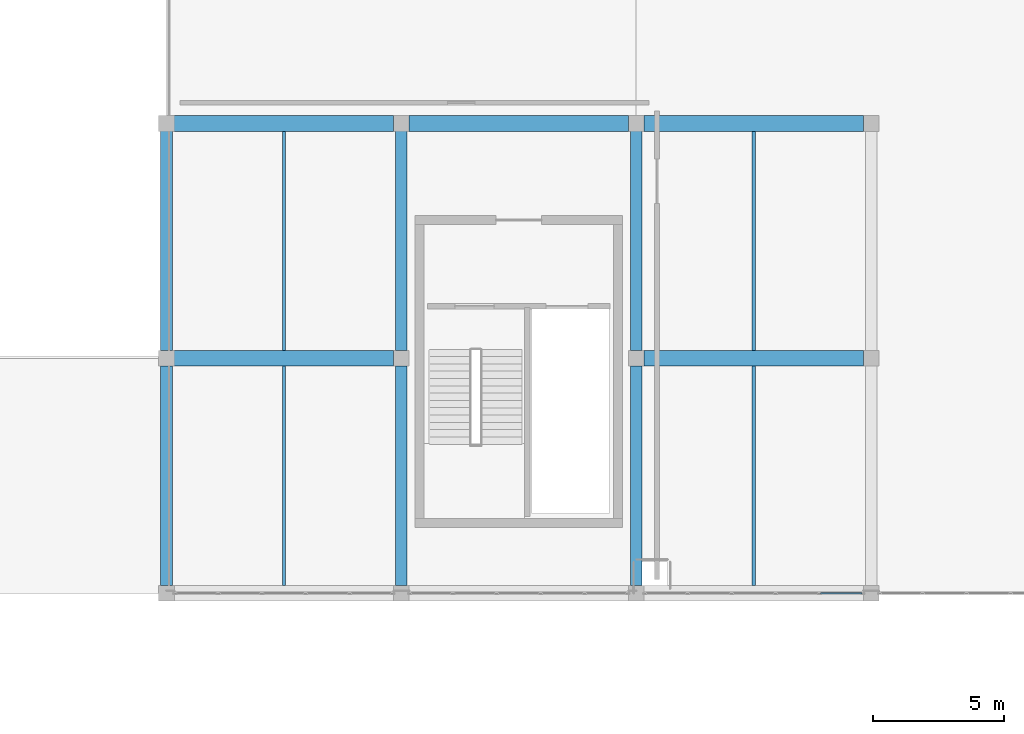
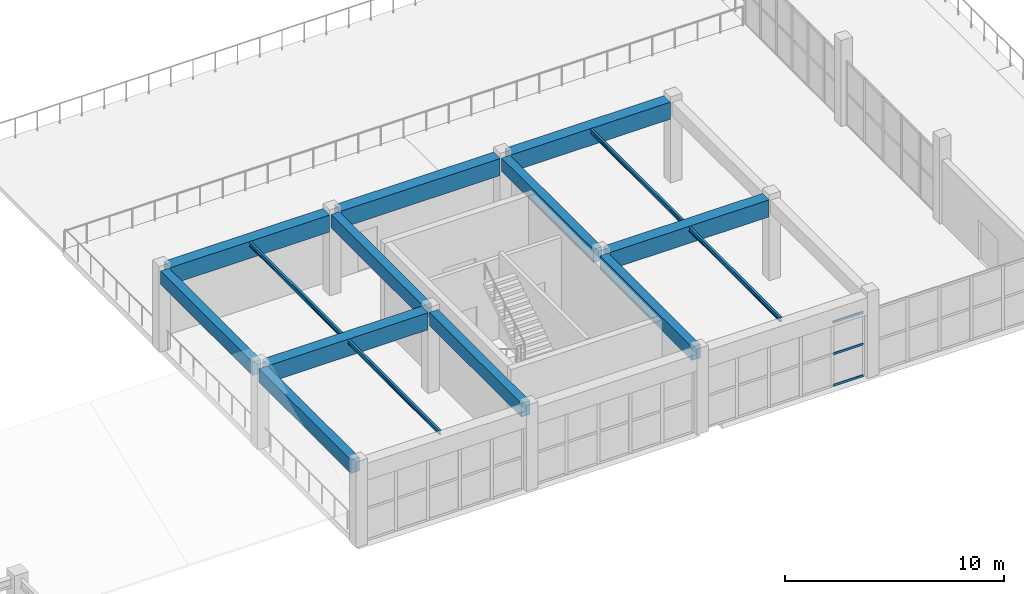
# One storey, part 40 of 89: 15 beams, 3 members, 1 element without a shape of its own.
"""IFC4 building model written with IfcOpenShell, lengths in metres."""

from ifc_helpers import new_model, si_unit, direction, frame, origin, origin_2d, place, context, subcontext, project, spatial, rectangle, hollow_rectangle, i_section, extrude, material, layer, layer_set, material_profile, profile_set, type_object, element, aggregate, save


model = new_model("IFC4")

# Units and contexts
model_context = context("Model", 3, precision=1e-05, world=origin(), true_north=direction((0.0, 1.0)))
body_context = subcontext(model_context, "Body", "Model", "MODEL_VIEW")
ifc_project = project(units=[si_unit("LENGTHUNIT", "METRE"), si_unit("AREAUNIT", "SQUARE_METRE"), si_unit("VOLUMEUNIT", "CUBIC_METRE"), si_unit("PLANEANGLEUNIT", "RADIAN"), si_unit("MASSUNIT", "GRAM", prefix="KILO")], contexts=[model_context])

# Site, building, storey
site_placement = place(None, origin())
site = spatial("IfcSite", under=ifc_project, at=site_placement, CompositionType="ELEMENT")
building_placement = place(site_placement, origin())
building = spatial("IfcBuilding", under=site, at=building_placement, Name="Dornveld Trade and Exhibition Forum", CompositionType="ELEMENT")
storey_placement = place(building_placement, frame((0.0, 0.0, 12.0)))
storey = spatial("IfcBuildingStorey", under=building, at=storey_placement, Name="L02", CompositionType="ELEMENT", Elevation=12.0)

# Beams
ifc_material_1 = material(Name="Steel S355J2", Category="steel")
ifc_material_profile_1 = material_profile(ifc_material_1, i_section(OverallWidth=0.1201171875, OverallDepth=0.239990234375, WebThickness=0.006103515625, FlangeThickness=0.009765625, FilletRadius=0.014892578125, at=origin_2d()), Name="IPE 240")
ifc_profile_set_1 = profile_set([ifc_material_profile_1], Name="Steel S355J2")
beam_type_1 = type_object("IfcBeamType", Name="BM-JOIST-240", PredefinedType="JOIST", material=ifc_profile_set_1)
for number, where, z_axis, x_axis, name in (
    (1, (175.5, 108.297119140625, 4.39990234375), (0.0, 1.0, 0.0), (-1.0, 0.0, 0.0), "L02 secondary joist 1601"),
    (2, (175.5, 117.297119140625, 4.39990234375), (0.0, 1.0, 0.0), (-1.0, 0.0, 0.0), "L02 secondary joist 1602"),
    (3, (193.5, 108.297119140625, 4.39990234375), (0.0, 1.0, 0.0), (-1.0, 0.0, 0.0), "L02 secondary joist 1603"),
    (4, (193.5, 117.297119140625, 4.39990234375), (0.0, 1.0, 0.0), (-1.0, 0.0, 0.0), "L02 secondary joist 1604"),
):
    element("IfcBeam", number, at=place(storey_placement, frame(where, z_axis=z_axis, x_axis=x_axis)), inside=storey, type_object=beam_type_1, Name=name, PredefinedType="JOIST", context=body_context, shape_type="SweptSolid", body=[
        extrude(i_section(OverallWidth=0.1201171875, OverallDepth=0.239990234375, WebThickness=0.006103515625, FlangeThickness=0.009765625, FilletRadius=0.014892578125, at=origin_2d()), origin(), (0.0, 0.0, 1.0), 8.40576171875),
    ])
ifc_material_2 = material(Name="Precast concrete C50/60", Category="concrete")
ifc_material_profile_2 = material_profile(ifc_material_2, rectangle(XDim=0.449951171875, YDim=0.75, at=origin_2d()), Name="PC-BM 450x750")
ifc_profile_set_2 = profile_set([ifc_material_profile_2], Name="Precast concrete C50/60")
beam_type_2 = type_object("IfcBeamType", Name="BM-PC-450x750", PredefinedType="BEAM", material=ifc_profile_set_2)
for number, where, z_axis, x_axis, name in (
    (5, (171.0, 108.2958984375, 4.14501953125), (0.0, 1.0, 0.0), (-1.0, 0.0, 0.0), "L02 Y-girder 1593"),
    (6, (171.0, 117.2958984375, 4.14501953125), (0.0, 1.0, 0.0), (-1.0, 0.0, 0.0), "L02 Y-girder 1594"),
    (7, (180.0, 108.2958984375, 4.14501953125), (0.0, 1.0, 0.0), (-1.0, 0.0, 0.0), "L02 Y-girder 1595"),
    (8, (180.0, 117.2958984375, 4.14501953125), (0.0, 1.0, 0.0), (-1.0, 0.0, 0.0), "L02 Y-girder 1596"),
    (9, (189.0, 108.2958984375, 4.14501953125), (0.0, 1.0, 0.0), (-1.0, 0.0, 0.0), "L02 Y-girder 1597"),
    (10, (189.0, 117.2958984375, 4.14501953125), (0.0, 1.0, 0.0), (-1.0, 0.0, 0.0), "L02 Y-girder 1598"),
):
    element("IfcBeam", number, at=place(storey_placement, frame(where, z_axis=z_axis, x_axis=x_axis)), inside=storey, type_object=beam_type_2, Name=name, PredefinedType="BEAM", context=body_context, shape_type="SweptSolid", body=[
        extrude(rectangle(XDim=0.449951171875, YDim=0.75, at=origin_2d()), origin(), (0.0, 0.0, 1.0), 8.408203125),
    ])
ifc_material_3 = material(Name="Precast concrete C50/60", Category="concrete")
ifc_material_profile_3 = material_profile(ifc_material_3, rectangle(XDim=0.60009765625, YDim=0.949951171875, at=origin_2d()), Name="PC-GIR 600x950")
ifc_profile_set_3 = profile_set([ifc_material_profile_3], Name="Precast concrete C50/60")
beam_type_3 = type_object("IfcBeamType", Name="BM-PC-600x950", PredefinedType="T_BEAM", material=ifc_profile_set_3)
for number, where, z_axis, x_axis, name in (
    (11, (171.2958984375, 117.0, 4.044921875), (1.0, 0.0, 0.0), (0.0, 1.0, 0.0), "L02 X-girder 1588"),
    (12, (189.2958984375, 117.0, 4.044921875), (1.0, 0.0, 0.0), (0.0, 1.0, 0.0), "L02 X-girder 1589"),
    (13, (171.2958984375, 126.0, 4.044921875), (1.0, 0.0, 0.0), (0.0, 1.0, 0.0), "L02 X-girder 1590"),
    (14, (180.2958984375, 126.0, 4.044921875), (1.0, 0.0, 0.0), (0.0, 1.0, 0.0), "L02 X-girder 1591"),
    (15, (189.2958984375, 126.0, 4.044921875), (1.0, 0.0, 0.0), (0.0, 1.0, 0.0), "L02 X-girder 1592"),
):
    element("IfcBeam", number, at=place(storey_placement, frame(where, z_axis=z_axis, x_axis=x_axis)), inside=storey, type_object=beam_type_3, Name=name, PredefinedType="T_BEAM", context=body_context, shape_type="SweptSolid", body=[
        extrude(rectangle(XDim=0.60009765625, YDim=0.949951171875, at=origin_2d()), origin(), (0.0, 0.0, 1.0), 8.408203125),
    ])

# Curtain wall, members
ifc_material_4 = material(Name="Dark-bronze anodised aluminium and low-E glass", Category="aluminium")
ifc_layer = layer(ifc_material_4, 0.1630859375)
ifc_layer_set = layer_set([ifc_layer], Name="Dark-bronze anodised aluminium and low-E glass")
curtain_wall_type = type_object("IfcCurtainWallType", Name="CW-SYS-07", PredefinedType="USERDEFINED", material=ifc_layer_set)
curtain_wall_placement = place(storey_placement, origin())
curtain_wall = element("IfcCurtainWall", 16, at=curtain_wall_placement, inside=storey, type_object=curtain_wall_type, Name="L02 unitised curtain wall 115", ObjectType="UNITISED_CURTAIN_WALL", PredefinedType="USERDEFINED")
ifc_material_5 = material(Name="Dark-bronze anodised aluminium", Category="aluminium")
ifc_material_profile_4 = material_profile(ifc_material_5, hollow_rectangle(XDim=0.06005859375, YDim=0.1201171875, WallThickness=0.00390625, at=origin_2d()), Name="RHS 120x60x4")
ifc_profile_set_4 = profile_set([ifc_material_profile_4], Name="Dark-bronze anodised aluminium")
member_type = type_object("IfcMemberType", Name="CW-TRN-120", PredefinedType="USERDEFINED", material=ifc_profile_set_4)
member_1_placement = place(storey_placement, frame((196.052490234375, 108.0, 0.02587890625), z_axis=(1.0, 0.0, 0.0), x_axis=(0.0, 1.0, 0.0)))
member_1 = element("IfcMember", 17, at=member_1_placement, type_object=member_type, Name="CW-07 transom 5.1", ObjectType="TRANSOM", PredefinedType="USERDEFINED", context=body_context, shape_type="SweptSolid", body=[
    extrude(hollow_rectangle(XDim=0.06005859375, YDim=0.1201171875, WallThickness=0.00390625, at=origin_2d()), origin(), (0.0, 0.0, 1.0), 1.591552734375),
])
member_2_placement = place(storey_placement, frame((196.052490234375, 108.0, 1.7880859375), z_axis=(1.0, 0.0, 0.0), x_axis=(0.0, 1.0, 0.0)))
member_2 = element("IfcMember", 18, at=member_2_placement, type_object=member_type, Name="CW-07 transom 5.2", ObjectType="TRANSOM", PredefinedType="USERDEFINED", context=body_context, shape_type="SweptSolid", body=[
    extrude(hollow_rectangle(XDim=0.06005859375, YDim=0.1201171875, WallThickness=0.00390625, at=origin_2d()), origin(), (0.0, 0.0, 1.0), 1.591552734375),
])
member_3_placement = place(storey_placement, frame((196.052490234375, 108.0, 3.550048828125), z_axis=(1.0, 0.0, 0.0), x_axis=(0.0, 1.0, 0.0)))
member_3 = element("IfcMember", 19, at=member_3_placement, type_object=member_type, Name="CW-07 transom 5.3", ObjectType="TRANSOM", PredefinedType="USERDEFINED", context=body_context, shape_type="SweptSolid", body=[
    extrude(hollow_rectangle(XDim=0.06005859375, YDim=0.1201171875, WallThickness=0.00390625, at=origin_2d()), origin(), (0.0, 0.0, 1.0), 1.591552734375),
])
aggregate(curtain_wall, [member_1, member_2, member_3])

save(model, "model.ifc")
